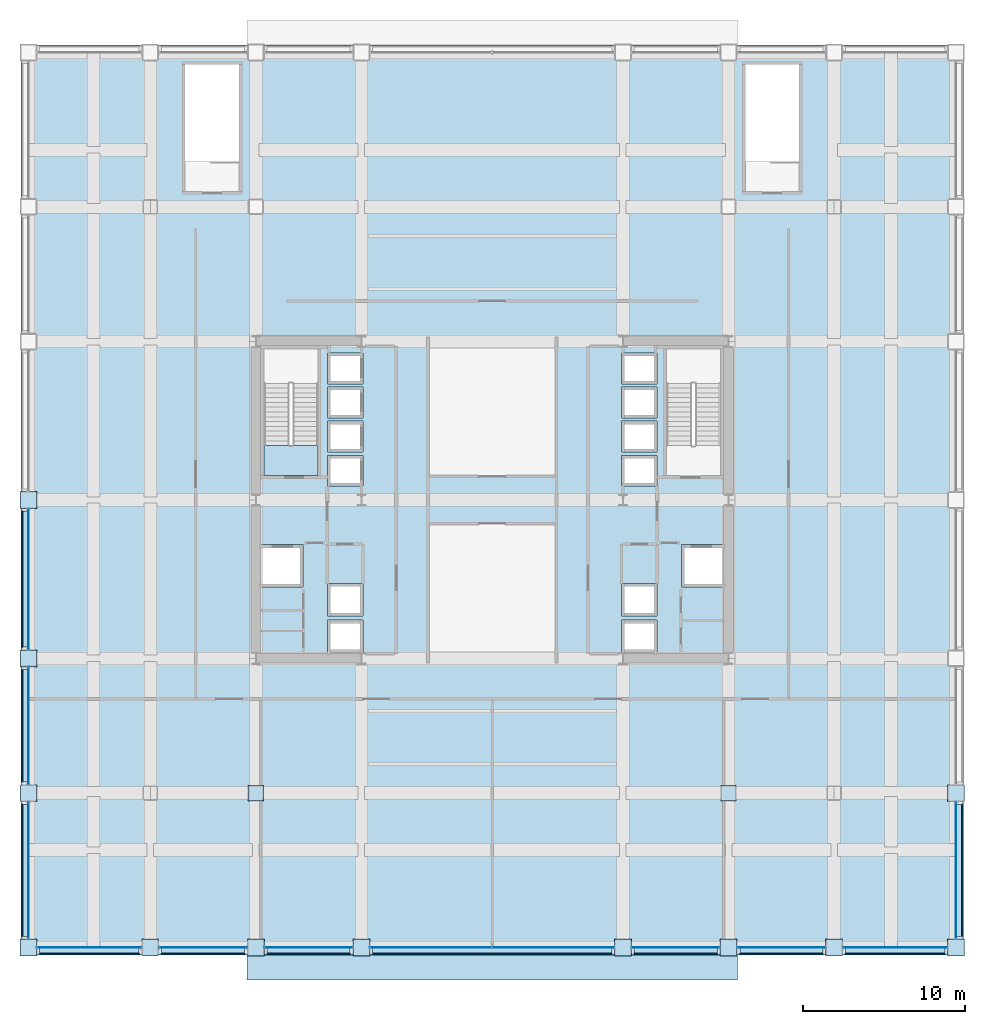
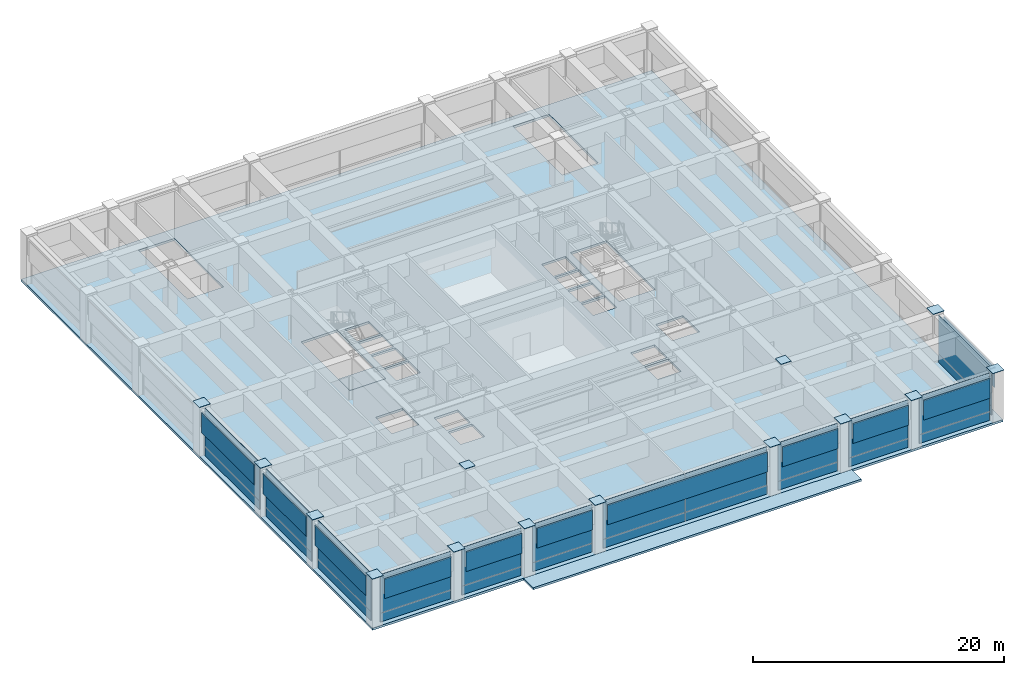
# One storey, part 24 of 30: 60 plates, 3 slabs, 11 elements without a shape of their own.
"""IFC4 building model written with IfcOpenShell, lengths in metres."""

from ifc_helpers import new_model, si_unit, direction, frame, origin, origin_2d, place, context, subcontext, project, spatial, polyline, rectangle, outline, extrude, material, layer, layer_set, type_object, element, aggregate, save


model = new_model("IFC4")

# Units and contexts
model_context = context("Model", 3, precision=1e-05, world=origin(), true_north=direction((0.0, 1.0)))
body_context = subcontext(model_context, "Body", "Model", "MODEL_VIEW")
ifc_project = project(units=[si_unit("LENGTHUNIT", "METRE"), si_unit("AREAUNIT", "SQUARE_METRE"), si_unit("VOLUMEUNIT", "CUBIC_METRE"), si_unit("PLANEANGLEUNIT", "RADIAN"), si_unit("MASSUNIT", "GRAM", prefix="KILO")], contexts=[model_context])

# Site, building, storey
site_placement = place(None, origin())
site = spatial("IfcSite", under=ifc_project, at=site_placement, CompositionType="ELEMENT")
building_placement = place(site_placement, origin())
building = spatial("IfcBuilding", under=site, at=building_placement, Name="Brelmoor Portico Tower", CompositionType="ELEMENT")
storey_placement = place(building_placement, frame((0.0, 0.0, 19.199951171875)))
storey = spatial("IfcBuildingStorey", under=building, at=storey_placement, Name="L04", CompositionType="ELEMENT", Elevation=19.199951171875)

# Plates
ifc_material_1 = material(Name="Steel Q355B", Category="steel")
ifc_layer_1 = layer(ifc_material_1, 0.044921875)
ifc_layer_set_1 = layer_set([ifc_layer_1], Name="Steel Q355B")
plate_type_1 = type_object("IfcPlateType", Name="PT-CAP-650", PredefinedType="SHEET", material=ifc_layer_set_1)
for number, where, z_axis, x_axis, name in (
    (1, (-14.550048828125, -18.050048828125, 4.800048828125), (0.0, 0.0, 1.0), (1.0, 0.0, 0.0), "L04 Podium Pier Column PP-SW2 Welded Head Cap Plate"),
    (2, (14.550048828125, -18.050048828125, 4.800048828125), (0.0, 0.0, 1.0), (1.0, 0.0, 0.0), "L04 Podium Pier Column PP-SE1 Welded Head Cap Plate"),
):
    element("IfcPlate", number, at=place(storey_placement, frame(where, z_axis=z_axis, x_axis=x_axis)), inside=storey, type_object=plate_type_1, Name=name, PredefinedType="SHEET", context=body_context, shape_type="SweptSolid", body=[
        extrude(rectangle(XDim=0.93994140625, YDim=0.93994140625, at=origin_2d()), origin(), (0.0, 0.0, 1.0), 0.0400390625),
    ])
for number, where, z_axis, x_axis, name in (
    (3, (-28.550048828125, -27.550048828125, 4.800048828125), (0.0, 0.0, 1.0), (1.0, 0.0, 0.0), "L04 Perimeter Mega-Column PS01 Welded Head Cap Plate"),
    (4, (-21.050048828125, -27.550048828125, 4.800048828125), (0.0, 0.0, 1.0), (1.0, 0.0, 0.0), "L04 Perimeter Mega-Column PS02 Welded Head Cap Plate"),
    (5, (-14.550048828125, -27.550048828125, 4.800048828125), (0.0, 0.0, 1.0), (1.0, 0.0, 0.0), "L04 Perimeter Mega-Column PS03 Welded Head Cap Plate"),
    (6, (-8.050048828125, -27.550048828125, 4.800048828125), (0.0, 0.0, 1.0), (1.0, 0.0, 0.0), "L04 Perimeter Mega-Column PS04 Welded Head Cap Plate"),
    (7, (8.050048828125, -27.550048828125, 4.800048828125), (0.0, 0.0, 1.0), (1.0, 0.0, 0.0), "L04 Perimeter Mega-Column PS05 Welded Head Cap Plate"),
    (8, (14.550048828125, -27.550048828125, 4.800048828125), (0.0, 0.0, 1.0), (1.0, 0.0, 0.0), "L04 Perimeter Mega-Column PS06 Welded Head Cap Plate"),
    (9, (21.050048828125, -27.550048828125, 4.800048828125), (0.0, 0.0, 1.0), (1.0, 0.0, 0.0), "L04 Perimeter Mega-Column PS07 Welded Head Cap Plate"),
    (10, (28.550048828125, -27.550048828125, 4.800048828125), (0.0, 0.0, 1.0), (1.0, 0.0, 0.0), "L04 Perimeter Mega-Column PS08 Welded Head Cap Plate"),
    (11, (-28.550048828125, -18.050048828125, 4.800048828125), (0.0, 0.0, 1.0), (0.0, 1.0, 0.0), "L04 Perimeter Mega-Column PW17 Welded Head Cap Plate"),
    (12, (28.550048828125, -18.050048828125, 4.800048828125), (0.0, 0.0, 1.0), (0.0, 1.0, 0.0), "L04 Perimeter Mega-Column PE18 Welded Head Cap Plate"),
    (13, (-28.550048828125, -9.75, 4.800048828125), (0.0, 0.0, 1.0), (0.0, 1.0, 0.0), "L04 Perimeter Mega-Column PW19 Welded Head Cap Plate"),
    (14, (-28.550048828125, 0.0, 4.800048828125), (0.0, 0.0, 1.0), (0.0, 1.0, 0.0), "L04 Perimeter Mega-Column PW21 Welded Head Cap Plate"),
):
    element("IfcPlate", number, at=place(storey_placement, frame(where, z_axis=z_axis, x_axis=x_axis)), inside=storey, type_object=plate_type_1, Name=name, PredefinedType="SHEET", context=body_context, shape_type="SweptSolid", body=[
        extrude(rectangle(XDim=1.0400390625, YDim=1.0400390625, at=origin_2d()), origin(), (0.0, 0.0, 1.0), 0.0400390625),
    ])

# Curtain wall, plate
ifc_material_2 = material(Name="Anodised Aluminium Alloy 6063-T6", Category="aluminium")
ifc_layer_2 = layer(ifc_material_2, 0.179931640625)
ifc_layer_set_2 = layer_set([ifc_layer_2], Name="Anodised Aluminium Alloy 6063-T6")
curtain_wall_type = type_object("IfcCurtainWallType", Name="CW-PODIUM-ARCH", PredefinedType="NOTDEFINED", material=ifc_layer_set_2)
curtain_wall_1_placement = place(storey_placement, origin())
curtain_wall_1 = element("IfcCurtainWall", 15, at=curtain_wall_1_placement, inside=storey, type_object=curtain_wall_type, Name="L04 Curtain Wall CW-L04-01-1", PredefinedType="NOTDEFINED")
ifc_material_3 = material(Name="Double-Silver Low-E Insulated Glazing", Category="glass")
ifc_layer_3 = layer(ifc_material_3, 0.035888671875)
ifc_layer_set_3 = layer_set([ifc_layer_3], Name="Double-Silver Low-E Insulated Glazing")
plate_type_2 = type_object("IfcPlateType", Name="PT-CW-GLASS", PredefinedType="CURTAIN_PANEL", material=ifc_layer_set_3)
plate_1_placement = place(storey_placement, frame((-24.800048828125, -27.550048828125, 0.85009765625), z_axis=(0.0, 0.0, 1.0), x_axis=(1.0, 0.0, 0.0)))
plate_1 = element("IfcPlate", 16, at=plate_1_placement, type_object=plate_type_2, Name="CW-L04-01-1 Vision Glass Panel 00", PredefinedType="CURTAIN_PANEL", context=body_context, shape_type="SweptSolid", body=[
    extrude(rectangle(XDim=6.449951171875, YDim=0.035888671875, at=origin_2d()), origin(), (0.0, 0.0, 1.0), 3.75),
])

curtain_wall_2_placement = place(storey_placement, origin())
curtain_wall_2 = element("IfcCurtainWall", 17, at=curtain_wall_2_placement, inside=storey, type_object=curtain_wall_type, Name="L04 Curtain Wall CW-L04-01-2", PredefinedType="NOTDEFINED")
plate_2_placement = place(storey_placement, frame((-17.800048828125, -27.550048828125, 0.85009765625), z_axis=(0.0, 0.0, 1.0), x_axis=(1.0, 0.0, 0.0)))
plate_2 = element("IfcPlate", 18, at=plate_2_placement, type_object=plate_type_2, Name="CW-L04-01-2 Vision Glass Panel 00", PredefinedType="CURTAIN_PANEL", context=body_context, shape_type="SweptSolid", body=[
    extrude(rectangle(XDim=5.449951171875, YDim=0.035888671875, at=origin_2d()), origin(), (0.0, 0.0, 1.0), 3.75),
])

curtain_wall_3_placement = place(storey_placement, origin())
curtain_wall_3 = element("IfcCurtainWall", 19, at=curtain_wall_3_placement, inside=storey, type_object=curtain_wall_type, Name="L04 Curtain Wall CW-L04-01-3", PredefinedType="NOTDEFINED")
plate_3_placement = place(storey_placement, frame((-11.300048828125, -27.550048828125, 0.85009765625), z_axis=(0.0, 0.0, 1.0), x_axis=(1.0, 0.0, 0.0)))
plate_3 = element("IfcPlate", 20, at=plate_3_placement, type_object=plate_type_2, Name="CW-L04-01-3 Vision Glass Panel 00", PredefinedType="CURTAIN_PANEL", context=body_context, shape_type="SweptSolid", body=[
    extrude(rectangle(XDim=5.449951171875, YDim=0.035888671875, at=origin_2d()), origin(), (0.0, 0.0, 1.0), 3.75),
])

# Curtain wall, plates
curtain_wall_4_placement = place(storey_placement, origin())
curtain_wall_4 = element("IfcCurtainWall", 21, at=curtain_wall_4_placement, inside=storey, type_object=curtain_wall_type, Name="L04 Curtain Wall CW-L04-01-4", PredefinedType="NOTDEFINED")
plate_4_placement = place(storey_placement, frame((-3.77001953125, -27.550048828125, 0.85009765625), z_axis=(0.0, 0.0, 1.0), x_axis=(1.0, 0.0, 0.0)))
plate_4 = element("IfcPlate", 22, at=plate_4_placement, type_object=plate_type_2, Name="CW-L04-01-4 Vision Glass Panel 00", PredefinedType="CURTAIN_PANEL", context=body_context, shape_type="SweptSolid", body=[
    extrude(rectangle(XDim=7.510009765625, YDim=0.035888671875, at=origin_2d()), origin(), (0.0, 0.0, 1.0), 3.75),
])
plate_5_placement = place(storey_placement, frame((3.77001953125, -27.550048828125, 0.85009765625), z_axis=(0.0, 0.0, 1.0), x_axis=(1.0, 0.0, 0.0)))
plate_5 = element("IfcPlate", 23, at=plate_5_placement, type_object=plate_type_2, Name="CW-L04-01-4 Vision Glass Panel 01", PredefinedType="CURTAIN_PANEL", context=body_context, shape_type="SweptSolid", body=[
    extrude(rectangle(XDim=7.510009765625, YDim=0.035888671875, at=origin_2d()), origin(), (0.0, 0.0, 1.0), 3.75),
])

# Curtain wall, plate
curtain_wall_5_placement = place(storey_placement, origin())
curtain_wall_5 = element("IfcCurtainWall", 24, at=curtain_wall_5_placement, inside=storey, type_object=curtain_wall_type, Name="L04 Curtain Wall CW-L04-01-5", PredefinedType="NOTDEFINED")
plate_6_placement = place(storey_placement, frame((11.300048828125, -27.550048828125, 0.85009765625), z_axis=(0.0, 0.0, 1.0), x_axis=(1.0, 0.0, 0.0)))
plate_6 = element("IfcPlate", 25, at=plate_6_placement, type_object=plate_type_2, Name="CW-L04-01-5 Vision Glass Panel 00", PredefinedType="CURTAIN_PANEL", context=body_context, shape_type="SweptSolid", body=[
    extrude(rectangle(XDim=5.449951171875, YDim=0.035888671875, at=origin_2d()), origin(), (0.0, 0.0, 1.0), 3.75),
])

curtain_wall_6_placement = place(storey_placement, origin())
curtain_wall_6 = element("IfcCurtainWall", 26, at=curtain_wall_6_placement, inside=storey, type_object=curtain_wall_type, Name="L04 Curtain Wall CW-L04-01-6", PredefinedType="NOTDEFINED")
plate_7_placement = place(storey_placement, frame((17.800048828125, -27.550048828125, 0.85009765625), z_axis=(0.0, 0.0, 1.0), x_axis=(1.0, 0.0, 0.0)))
plate_7 = element("IfcPlate", 27, at=plate_7_placement, type_object=plate_type_2, Name="CW-L04-01-6 Vision Glass Panel 00", PredefinedType="CURTAIN_PANEL", context=body_context, shape_type="SweptSolid", body=[
    extrude(rectangle(XDim=5.449951171875, YDim=0.035888671875, at=origin_2d()), origin(), (0.0, 0.0, 1.0), 3.75),
])

curtain_wall_7_placement = place(storey_placement, origin())
curtain_wall_7 = element("IfcCurtainWall", 28, at=curtain_wall_7_placement, inside=storey, type_object=curtain_wall_type, Name="L04 Curtain Wall CW-L04-01-7", PredefinedType="NOTDEFINED")
plate_8_placement = place(storey_placement, frame((24.800048828125, -27.550048828125, 0.85009765625), z_axis=(0.0, 0.0, 1.0), x_axis=(1.0, 0.0, 0.0)))
plate_8 = element("IfcPlate", 29, at=plate_8_placement, type_object=plate_type_2, Name="CW-L04-01-7 Vision Glass Panel 00", PredefinedType="CURTAIN_PANEL", context=body_context, shape_type="SweptSolid", body=[
    extrude(rectangle(XDim=6.449951171875, YDim=0.035888671875, at=origin_2d()), origin(), (0.0, 0.0, 1.0), 3.75),
])

curtain_wall_8_placement = place(storey_placement, origin())
curtain_wall_8 = element("IfcCurtainWall", 30, at=curtain_wall_8_placement, inside=storey, type_object=curtain_wall_type, Name="L04 Curtain Wall CW-L04-03-1", PredefinedType="NOTDEFINED")
plate_9_placement = place(storey_placement, frame((-28.550048828125, -22.800048828125, 0.85009765625), z_axis=(0.0, 0.0, 1.0), x_axis=(0.0, 1.0, 0.0)))
plate_9 = element("IfcPlate", 31, at=plate_9_placement, type_object=plate_type_2, Name="CW-L04-03-1 Vision Glass Panel 00", PredefinedType="CURTAIN_PANEL", context=body_context, shape_type="SweptSolid", body=[
    extrude(rectangle(XDim=8.449951171875, YDim=0.035888671875, at=origin_2d()), origin(), (0.0, 0.0, 1.0), 3.75),
])

curtain_wall_9_placement = place(storey_placement, origin())
curtain_wall_9 = element("IfcCurtainWall", 32, at=curtain_wall_9_placement, inside=storey, type_object=curtain_wall_type, Name="L04 Curtain Wall CW-L04-03-2", PredefinedType="NOTDEFINED")
plate_10_placement = place(storey_placement, frame((-28.550048828125, -13.89990234375, 0.85009765625), z_axis=(0.0, 0.0, 1.0), x_axis=(0.0, 1.0, 0.0)))
plate_10 = element("IfcPlate", 33, at=plate_10_placement, type_object=plate_type_2, Name="CW-L04-03-2 Vision Glass Panel 00", PredefinedType="CURTAIN_PANEL", context=body_context, shape_type="SweptSolid", body=[
    extrude(rectangle(XDim=7.25, YDim=0.035888671875, at=origin_2d()), origin(), (0.0, 0.0, 1.0), 3.75),
])

curtain_wall_10_placement = place(storey_placement, origin())
curtain_wall_10 = element("IfcCurtainWall", 34, at=curtain_wall_10_placement, inside=storey, type_object=curtain_wall_type, Name="L04 Curtain Wall CW-L04-03-3", PredefinedType="NOTDEFINED")
plate_11_placement = place(storey_placement, frame((-28.550048828125, -4.875, 0.85009765625), z_axis=(0.0, 0.0, 1.0), x_axis=(0.0, 1.0, 0.0)))
plate_11 = element("IfcPlate", 35, at=plate_11_placement, type_object=plate_type_2, Name="CW-L04-03-3 Vision Glass Panel 00", PredefinedType="CURTAIN_PANEL", context=body_context, shape_type="SweptSolid", body=[
    extrude(rectangle(XDim=8.699951171875, YDim=0.035888671875, at=origin_2d()), origin(), (0.0, 0.0, 1.0), 3.75),
])

curtain_wall_11_placement = place(storey_placement, origin())
curtain_wall_11 = element("IfcCurtainWall", 36, at=curtain_wall_11_placement, inside=storey, type_object=curtain_wall_type, Name="L04 Curtain Wall CW-L04-04-1", PredefinedType="NOTDEFINED")
plate_12_placement = place(storey_placement, frame((28.550048828125, -22.800048828125, 0.85009765625), z_axis=(0.0, 0.0, 1.0), x_axis=(0.0, 1.0, 0.0)))
plate_12 = element("IfcPlate", 37, at=plate_12_placement, type_object=plate_type_2, Name="CW-L04-04-1 Vision Glass Panel 00", PredefinedType="CURTAIN_PANEL", context=body_context, shape_type="SweptSolid", body=[
    extrude(rectangle(XDim=8.449951171875, YDim=0.035888671875, at=origin_2d()), origin(), (0.0, 0.0, 1.0), 3.75),
])

# Plate
ifc_material_4 = material(Name="Pale Champagne Anodised Aluminium Panel", Category="aluminium")
ifc_layer_4 = layer(ifc_material_4, 0.050048828125)
ifc_layer_set_4 = layer_set([ifc_layer_4], Name="Pale Champagne Anodised Aluminium Panel")
plate_type_3 = type_object("IfcPlateType", Name="PT-CW-SPANDREL", PredefinedType="SHEET", material=ifc_layer_set_4)
plate_13_placement = place(storey_placement, frame((-24.800048828125, -27.550048828125, 0.0), z_axis=(0.0, 0.0, 1.0), x_axis=(1.0, 0.0, 0.0)))
plate_13 = element("IfcPlate", 38, at=plate_13_placement, type_object=plate_type_3, Name="CW-L04-01-1 Spandrel Panel 00", PredefinedType="SHEET", context=body_context, shape_type="SweptSolid", body=[
    extrude(rectangle(XDim=6.449951171875, YDim=0.050048828125, at=origin_2d()), origin(), (0.0, 0.0, 1.0), 0.85009765625),
])

aggregate(curtain_wall_1, [plate_13, plate_1])

plate_14_placement = place(storey_placement, frame((-17.800048828125, -27.550048828125, 0.0), z_axis=(0.0, 0.0, 1.0), x_axis=(1.0, 0.0, 0.0)))
plate_14 = element("IfcPlate", 39, at=plate_14_placement, type_object=plate_type_3, Name="CW-L04-01-2 Spandrel Panel 00", PredefinedType="SHEET", context=body_context, shape_type="SweptSolid", body=[
    extrude(rectangle(XDim=5.449951171875, YDim=0.050048828125, at=origin_2d()), origin(), (0.0, 0.0, 1.0), 0.85009765625),
])

aggregate(curtain_wall_2, [plate_14, plate_2])

plate_15_placement = place(storey_placement, frame((-11.300048828125, -27.550048828125, 0.0), z_axis=(0.0, 0.0, 1.0), x_axis=(1.0, 0.0, 0.0)))
plate_15 = element("IfcPlate", 40, at=plate_15_placement, type_object=plate_type_3, Name="CW-L04-01-3 Spandrel Panel 00", PredefinedType="SHEET", context=body_context, shape_type="SweptSolid", body=[
    extrude(rectangle(XDim=5.449951171875, YDim=0.050048828125, at=origin_2d()), origin(), (0.0, 0.0, 1.0), 0.85009765625),
])

aggregate(curtain_wall_3, [plate_15, plate_3])

plate_16_placement = place(storey_placement, frame((-3.77001953125, -27.550048828125, 0.0), z_axis=(0.0, 0.0, 1.0), x_axis=(1.0, 0.0, 0.0)))
plate_16 = element("IfcPlate", 41, at=plate_16_placement, type_object=plate_type_3, Name="CW-L04-01-4 Spandrel Panel 00", PredefinedType="SHEET", context=body_context, shape_type="SweptSolid", body=[
    extrude(rectangle(XDim=7.510009765625, YDim=0.050048828125, at=origin_2d()), origin(), (0.0, 0.0, 1.0), 0.85009765625),
])

plate_17_placement = place(storey_placement, frame((3.77001953125, -27.550048828125, 0.0), z_axis=(0.0, 0.0, 1.0), x_axis=(1.0, 0.0, 0.0)))
plate_17 = element("IfcPlate", 42, at=plate_17_placement, type_object=plate_type_3, Name="CW-L04-01-4 Spandrel Panel 01", PredefinedType="SHEET", context=body_context, shape_type="SweptSolid", body=[
    extrude(rectangle(XDim=7.510009765625, YDim=0.050048828125, at=origin_2d()), origin(), (0.0, 0.0, 1.0), 0.85009765625),
])

aggregate(curtain_wall_4, [plate_16, plate_4, plate_17, plate_5])

plate_18_placement = place(storey_placement, frame((11.300048828125, -27.550048828125, 0.0), z_axis=(0.0, 0.0, 1.0), x_axis=(1.0, 0.0, 0.0)))
plate_18 = element("IfcPlate", 43, at=plate_18_placement, type_object=plate_type_3, Name="CW-L04-01-5 Spandrel Panel 00", PredefinedType="SHEET", context=body_context, shape_type="SweptSolid", body=[
    extrude(rectangle(XDim=5.449951171875, YDim=0.050048828125, at=origin_2d()), origin(), (0.0, 0.0, 1.0), 0.85009765625),
])

aggregate(curtain_wall_5, [plate_18, plate_6])

plate_19_placement = place(storey_placement, frame((17.800048828125, -27.550048828125, 0.0), z_axis=(0.0, 0.0, 1.0), x_axis=(1.0, 0.0, 0.0)))
plate_19 = element("IfcPlate", 44, at=plate_19_placement, type_object=plate_type_3, Name="CW-L04-01-6 Spandrel Panel 00", PredefinedType="SHEET", context=body_context, shape_type="SweptSolid", body=[
    extrude(rectangle(XDim=5.449951171875, YDim=0.050048828125, at=origin_2d()), origin(), (0.0, 0.0, 1.0), 0.85009765625),
])

aggregate(curtain_wall_6, [plate_19, plate_7])

plate_20_placement = place(storey_placement, frame((24.800048828125, -27.550048828125, 0.0), z_axis=(0.0, 0.0, 1.0), x_axis=(1.0, 0.0, 0.0)))
plate_20 = element("IfcPlate", 45, at=plate_20_placement, type_object=plate_type_3, Name="CW-L04-01-7 Spandrel Panel 00", PredefinedType="SHEET", context=body_context, shape_type="SweptSolid", body=[
    extrude(rectangle(XDim=6.449951171875, YDim=0.050048828125, at=origin_2d()), origin(), (0.0, 0.0, 1.0), 0.85009765625),
])

aggregate(curtain_wall_7, [plate_20, plate_8])

plate_21_placement = place(storey_placement, frame((-28.550048828125, -22.800048828125, 0.0), z_axis=(0.0, 0.0, 1.0), x_axis=(0.0, 1.0, 0.0)))
plate_21 = element("IfcPlate", 46, at=plate_21_placement, type_object=plate_type_3, Name="CW-L04-03-1 Spandrel Panel 00", PredefinedType="SHEET", context=body_context, shape_type="SweptSolid", body=[
    extrude(rectangle(XDim=8.449951171875, YDim=0.050048828125, at=origin_2d()), origin(), (0.0, 0.0, 1.0), 0.85009765625),
])

aggregate(curtain_wall_8, [plate_21, plate_9])

plate_22_placement = place(storey_placement, frame((-28.550048828125, -13.89990234375, 0.0), z_axis=(0.0, 0.0, 1.0), x_axis=(0.0, 1.0, 0.0)))
plate_22 = element("IfcPlate", 47, at=plate_22_placement, type_object=plate_type_3, Name="CW-L04-03-2 Spandrel Panel 00", PredefinedType="SHEET", context=body_context, shape_type="SweptSolid", body=[
    extrude(rectangle(XDim=7.25, YDim=0.050048828125, at=origin_2d()), origin(), (0.0, 0.0, 1.0), 0.85009765625),
])

aggregate(curtain_wall_9, [plate_22, plate_10])

plate_23_placement = place(storey_placement, frame((-28.550048828125, -4.875, 0.0), z_axis=(0.0, 0.0, 1.0), x_axis=(0.0, 1.0, 0.0)))
plate_23 = element("IfcPlate", 48, at=plate_23_placement, type_object=plate_type_3, Name="CW-L04-03-3 Spandrel Panel 00", PredefinedType="SHEET", context=body_context, shape_type="SweptSolid", body=[
    extrude(rectangle(XDim=8.699951171875, YDim=0.050048828125, at=origin_2d()), origin(), (0.0, 0.0, 1.0), 0.85009765625),
])

aggregate(curtain_wall_10, [plate_23, plate_11])

plate_24_placement = place(storey_placement, frame((28.550048828125, -22.800048828125, 0.0), z_axis=(0.0, 0.0, 1.0), x_axis=(0.0, 1.0, 0.0)))
plate_24 = element("IfcPlate", 49, at=plate_24_placement, type_object=plate_type_3, Name="CW-L04-04-1 Spandrel Panel 00", PredefinedType="SHEET", context=body_context, shape_type="SweptSolid", body=[
    extrude(rectangle(XDim=8.449951171875, YDim=0.050048828125, at=origin_2d()), origin(), (0.0, 0.0, 1.0), 0.85009765625),
])

aggregate(curtain_wall_11, [plate_24, plate_12])

# Plates
ifc_material_5 = material(Name="Powder-Coated Aluminium Shuttered Jalousie Louvre", Category="aluminium")
ifc_layer_5 = layer(ifc_material_5, 0.06005859375)
ifc_layer_set_5 = layer_set([ifc_layer_5], Name="Powder-Coated Aluminium Shuttered Jalousie Louvre")
plate_type_4 = type_object("IfcPlateType", Name="PT-JALOUSIE-SHUTTER", PredefinedType="SHEET", material=ifc_layer_set_5)
plate_25_placement = place(storey_placement, frame((-24.800048828125, -27.929931640625, 2.4501953125), z_axis=(0.0, 0.0, 1.0), x_axis=(1.0, 0.0, 0.0)))
element("IfcPlate", 50, at=plate_25_placement, inside=storey, type_object=plate_type_4, Name="CW-L04-01-1 Perforated Jalousie Solar Screen", PredefinedType="SHEET", context=body_context, shape_type="SweptSolid", body=[
    extrude(rectangle(XDim=6.1201171875, YDim=0.06494140625, at=origin_2d()), origin(), (0.0, 0.0, 1.0), 1.949951171875),
])
for number, where, z_axis, x_axis, name in (
    (51, (-17.800048828125, -27.929931640625, 2.4501953125), (0.0, 0.0, 1.0), (1.0, 0.0, 0.0), "CW-L04-01-2 Perforated Jalousie Solar Screen"),
    (52, (-11.300048828125, -27.929931640625, 2.4501953125), (0.0, 0.0, 1.0), (1.0, 0.0, 0.0), "CW-L04-01-3 Perforated Jalousie Solar Screen"),
):
    element("IfcPlate", number, at=place(storey_placement, frame(where, z_axis=z_axis, x_axis=x_axis)), inside=storey, type_object=plate_type_4, Name=name, PredefinedType="SHEET", context=body_context, shape_type="SweptSolid", body=[
        extrude(rectangle(XDim=5.1201171875, YDim=0.06494140625, at=origin_2d()), origin(), (0.0, 0.0, 1.0), 1.949951171875),
    ])
plate_26_placement = place(storey_placement, frame((0.0, -27.929931640625, 2.4501953125), z_axis=(0.0, 0.0, 1.0), x_axis=(1.0, 0.0, 0.0)))
element("IfcPlate", 53, at=plate_26_placement, inside=storey, type_object=plate_type_4, Name="CW-L04-01-4 Perforated Jalousie Solar Screen", PredefinedType="SHEET", context=body_context, shape_type="SweptSolid", body=[
    extrude(rectangle(XDim=14.719970703125, YDim=0.06494140625, at=origin_2d()), origin(), (0.0, 0.0, 1.0), 1.949951171875),
])
for number, where, z_axis, x_axis, name in (
    (54, (11.300048828125, -27.929931640625, 2.4501953125), (0.0, 0.0, 1.0), (1.0, 0.0, 0.0), "CW-L04-01-5 Perforated Jalousie Solar Screen"),
    (55, (17.800048828125, -27.929931640625, 2.4501953125), (0.0, 0.0, 1.0), (1.0, 0.0, 0.0), "CW-L04-01-6 Perforated Jalousie Solar Screen"),
):
    element("IfcPlate", number, at=place(storey_placement, frame(where, z_axis=z_axis, x_axis=x_axis)), inside=storey, type_object=plate_type_4, Name=name, PredefinedType="SHEET", context=body_context, shape_type="SweptSolid", body=[
        extrude(rectangle(XDim=5.1201171875, YDim=0.06494140625, at=origin_2d()), origin(), (0.0, 0.0, 1.0), 1.949951171875),
    ])
plate_27_placement = place(storey_placement, frame((24.800048828125, -27.929931640625, 2.4501953125), z_axis=(0.0, 0.0, 1.0), x_axis=(1.0, 0.0, 0.0)))
element("IfcPlate", 56, at=plate_27_placement, inside=storey, type_object=plate_type_4, Name="CW-L04-01-7 Perforated Jalousie Solar Screen", PredefinedType="SHEET", context=body_context, shape_type="SweptSolid", body=[
    extrude(rectangle(XDim=6.1201171875, YDim=0.06494140625, at=origin_2d()), origin(), (0.0, 0.0, 1.0), 1.949951171875),
])
plate_28_placement = place(storey_placement, frame((-28.929931640625, -22.800048828125, 2.4501953125), z_axis=(0.0, 0.0, 1.0), x_axis=(0.0, 1.0, 0.0)))
element("IfcPlate", 57, at=plate_28_placement, inside=storey, type_object=plate_type_4, Name="CW-L04-03-1 Perforated Jalousie Solar Screen", PredefinedType="SHEET", context=body_context, shape_type="SweptSolid", body=[
    extrude(rectangle(XDim=8.1201171875, YDim=0.06494140625, at=origin_2d()), origin(), (0.0, 0.0, 1.0), 1.949951171875),
])
plate_29_placement = place(storey_placement, frame((-28.929931640625, -13.89990234375, 2.4501953125), z_axis=(0.0, 0.0, 1.0), x_axis=(0.0, 1.0, 0.0)))
element("IfcPlate", 58, at=plate_29_placement, inside=storey, type_object=plate_type_4, Name="CW-L04-03-2 Perforated Jalousie Solar Screen", PredefinedType="SHEET", context=body_context, shape_type="SweptSolid", body=[
    extrude(rectangle(XDim=6.919921875, YDim=0.06494140625, at=origin_2d()), origin(), (0.0, 0.0, 1.0), 1.949951171875),
])
plate_30_placement = place(storey_placement, frame((-28.929931640625, -4.875, 2.4501953125), z_axis=(0.0, 0.0, 1.0), x_axis=(0.0, 1.0, 0.0)))
element("IfcPlate", 59, at=plate_30_placement, inside=storey, type_object=plate_type_4, Name="CW-L04-03-3 Perforated Jalousie Solar Screen", PredefinedType="SHEET", context=body_context, shape_type="SweptSolid", body=[
    extrude(rectangle(XDim=8.3701171875, YDim=0.06494140625, at=origin_2d()), origin(), (0.0, 0.0, 1.0), 1.949951171875),
])
plate_31_placement = place(storey_placement, frame((28.929931640625, -22.800048828125, 2.4501953125), z_axis=(0.0, 0.0, 1.0), x_axis=(0.0, 1.0, 0.0)))
element("IfcPlate", 60, at=plate_31_placement, inside=storey, type_object=plate_type_4, Name="CW-L04-04-1 Perforated Jalousie Solar Screen", PredefinedType="SHEET", context=body_context, shape_type="SweptSolid", body=[
    extrude(rectangle(XDim=8.1201171875, YDim=0.06494140625, at=origin_2d()), origin(), (0.0, 0.0, 1.0), 1.949951171875),
])
ifc_material_6 = material(Name="Pale Champagne Perforated Aluminium Solar Screen", Category="aluminium")
ifc_layer_6 = layer(ifc_material_6, 0.054931640625)
ifc_layer_set_6 = layer_set([ifc_layer_6], Name="Pale Champagne Perforated Aluminium Solar Screen")
plate_type_5 = type_object("IfcPlateType", Name="PT-SOLAR-LOUVRE", PredefinedType="SHEET", material=ifc_layer_set_6)
plate_32_placement = place(storey_placement, frame((-24.800048828125, -27.760009765625, 4.2900390625), z_axis=(0.0, 0.0, 1.0), x_axis=(1.0, 0.0, 0.0)))
element("IfcPlate", 61, at=plate_32_placement, inside=storey, type_object=plate_type_5, Name="CW-L04-01-1 Caribbean Brise-Soleil Solar Screen", PredefinedType="SHEET", context=body_context, shape_type="SweptSolid", body=[
    extrude(rectangle(XDim=6.1201171875, YDim=0.4599609375, at=origin_2d()), origin(), (0.0, 0.0, 1.0), 0.139892578125),
])
for number, where, z_axis, x_axis, name in (
    (62, (-17.800048828125, -27.760009765625, 4.2900390625), (0.0, 0.0, 1.0), (1.0, 0.0, 0.0), "CW-L04-01-2 Caribbean Brise-Soleil Solar Screen"),
    (63, (-11.300048828125, -27.760009765625, 4.2900390625), (0.0, 0.0, 1.0), (1.0, 0.0, 0.0), "CW-L04-01-3 Caribbean Brise-Soleil Solar Screen"),
):
    element("IfcPlate", number, at=place(storey_placement, frame(where, z_axis=z_axis, x_axis=x_axis)), inside=storey, type_object=plate_type_5, Name=name, PredefinedType="SHEET", context=body_context, shape_type="SweptSolid", body=[
        extrude(rectangle(XDim=5.1201171875, YDim=0.4599609375, at=origin_2d()), origin(), (0.0, 0.0, 1.0), 0.139892578125),
    ])
plate_33_placement = place(storey_placement, frame((0.0, -27.760009765625, 4.2900390625), z_axis=(0.0, 0.0, 1.0), x_axis=(1.0, 0.0, 0.0)))
element("IfcPlate", 64, at=plate_33_placement, inside=storey, type_object=plate_type_5, Name="CW-L04-01-4 Caribbean Brise-Soleil Solar Screen", PredefinedType="SHEET", context=body_context, shape_type="SweptSolid", body=[
    extrude(rectangle(XDim=14.719970703125, YDim=0.4599609375, at=origin_2d()), origin(), (0.0, 0.0, 1.0), 0.139892578125),
])
for number, where, z_axis, x_axis, name in (
    (65, (11.300048828125, -27.760009765625, 4.2900390625), (0.0, 0.0, 1.0), (1.0, 0.0, 0.0), "CW-L04-01-5 Caribbean Brise-Soleil Solar Screen"),
    (66, (17.800048828125, -27.760009765625, 4.2900390625), (0.0, 0.0, 1.0), (1.0, 0.0, 0.0), "CW-L04-01-6 Caribbean Brise-Soleil Solar Screen"),
):
    element("IfcPlate", number, at=place(storey_placement, frame(where, z_axis=z_axis, x_axis=x_axis)), inside=storey, type_object=plate_type_5, Name=name, PredefinedType="SHEET", context=body_context, shape_type="SweptSolid", body=[
        extrude(rectangle(XDim=5.1201171875, YDim=0.4599609375, at=origin_2d()), origin(), (0.0, 0.0, 1.0), 0.139892578125),
    ])
plate_34_placement = place(storey_placement, frame((24.800048828125, -27.760009765625, 4.2900390625), z_axis=(0.0, 0.0, 1.0), x_axis=(1.0, 0.0, 0.0)))
element("IfcPlate", 67, at=plate_34_placement, inside=storey, type_object=plate_type_5, Name="CW-L04-01-7 Caribbean Brise-Soleil Solar Screen", PredefinedType="SHEET", context=body_context, shape_type="SweptSolid", body=[
    extrude(rectangle(XDim=6.1201171875, YDim=0.4599609375, at=origin_2d()), origin(), (0.0, 0.0, 1.0), 0.139892578125),
])
plate_35_placement = place(storey_placement, frame((-28.760009765625, -22.800048828125, 4.2900390625), z_axis=(0.0, 0.0, 1.0), x_axis=(0.0, 1.0, 0.0)))
element("IfcPlate", 68, at=plate_35_placement, inside=storey, type_object=plate_type_5, Name="CW-L04-03-1 Caribbean Brise-Soleil Solar Screen", PredefinedType="SHEET", context=body_context, shape_type="SweptSolid", body=[
    extrude(rectangle(XDim=8.1201171875, YDim=0.4599609375, at=origin_2d()), origin(), (0.0, 0.0, 1.0), 0.139892578125),
])
plate_36_placement = place(storey_placement, frame((-28.760009765625, -13.89990234375, 4.2900390625), z_axis=(0.0, 0.0, 1.0), x_axis=(0.0, 1.0, 0.0)))
element("IfcPlate", 69, at=plate_36_placement, inside=storey, type_object=plate_type_5, Name="CW-L04-03-2 Caribbean Brise-Soleil Solar Screen", PredefinedType="SHEET", context=body_context, shape_type="SweptSolid", body=[
    extrude(rectangle(XDim=6.919921875, YDim=0.4599609375, at=origin_2d()), origin(), (0.0, 0.0, 1.0), 0.139892578125),
])
plate_37_placement = place(storey_placement, frame((-28.760009765625, -4.875, 4.2900390625), z_axis=(0.0, 0.0, 1.0), x_axis=(0.0, 1.0, 0.0)))
element("IfcPlate", 70, at=plate_37_placement, inside=storey, type_object=plate_type_5, Name="CW-L04-03-3 Caribbean Brise-Soleil Solar Screen", PredefinedType="SHEET", context=body_context, shape_type="SweptSolid", body=[
    extrude(rectangle(XDim=8.3701171875, YDim=0.4599609375, at=origin_2d()), origin(), (0.0, 0.0, 1.0), 0.139892578125),
])
plate_38_placement = place(storey_placement, frame((28.760009765625, -22.800048828125, 4.2900390625), z_axis=(0.0, 0.0, 1.0), x_axis=(0.0, 1.0, 0.0)))
element("IfcPlate", 71, at=plate_38_placement, inside=storey, type_object=plate_type_5, Name="CW-L04-04-1 Caribbean Brise-Soleil Solar Screen", PredefinedType="SHEET", context=body_context, shape_type="SweptSolid", body=[
    extrude(rectangle(XDim=8.1201171875, YDim=0.4599609375, at=origin_2d()), origin(), (0.0, 0.0, 1.0), 0.139892578125),
])

# Slabs
ifc_material_7 = material(Name="Concrete C40", Category="concrete")
ifc_layer_7 = layer(ifc_material_7, 0.219970703125)
ifc_layer_set_7 = layer_set([ifc_layer_7], Name="Concrete C40")
slab_type_1 = type_object("IfcSlabType", Name="SL-FLOOR-220", PredefinedType="FLOOR", material=ifc_layer_set_7)
slab_1_placement = place(storey_placement, frame((0.0, 0.0, -0.219970703125)))
element("IfcSlab", 72, at=slab_1_placement, inside=storey, type_object=slab_type_1, Name="L04 Main Structural Floor Slab", PredefinedType="FLOOR", context=body_context, shape_type="SweptSolid", body=[
    extrude(outline(polyline([(-29.0, -28.0), (29.0, -28.0), (29.0, 28.0), (-29.0, 28.0), (-29.0, -28.0)]), holes=[polyline([(-10.72998046875, 1.5), (-10.72998046875, 9.300048828125), (-14.050048828125, 9.300048828125), (-14.050048828125, 1.5), (-10.72998046875, 1.5)]), polyline([(14.050048828125, 1.5), (14.050048828125, 9.300048828125), (10.72998046875, 9.300048828125), (10.72998046875, 1.5), (14.050048828125, 1.5)]), polyline([(-15.580078125, 19.0), (-15.580078125, 26.800048828125), (-18.89990234375, 26.800048828125), (-18.89990234375, 19.0), (-15.580078125, 19.0)]), polyline([(18.89990234375, 19.0), (18.89990234375, 26.800048828125), (15.580078125, 26.800048828125), (15.580078125, 19.0), (18.89990234375, 19.0)]), polyline([(-10.14990234375, 0.85009765625), (-7.949951171875, 0.85009765625), (-7.949951171875, 2.75), (-10.14990234375, 2.75), (-10.14990234375, 0.85009765625)]), polyline([(-10.14990234375, 2.949951171875), (-7.949951171875, 2.949951171875), (-7.949951171875, 4.85009765625), (-10.14990234375, 4.85009765625), (-10.14990234375, 2.949951171875)]), polyline([(-10.14990234375, 5.050048828125), (-7.949951171875, 5.050048828125), (-7.949951171875, 6.949951171875), (-10.14990234375, 6.949951171875), (-10.14990234375, 5.050048828125)]), polyline([(-10.14990234375, 7.14990234375), (-7.949951171875, 7.14990234375), (-7.949951171875, 9.050048828125), (-10.14990234375, 9.050048828125), (-10.14990234375, 7.14990234375)]), polyline([(7.949951171875, 0.85009765625), (10.14990234375, 0.85009765625), (10.14990234375, 2.75), (7.949951171875, 2.75), (7.949951171875, 0.85009765625)]), polyline([(7.949951171875, 2.949951171875), (10.14990234375, 2.949951171875), (10.14990234375, 4.85009765625), (7.949951171875, 4.85009765625), (7.949951171875, 2.949951171875)]), polyline([(7.949951171875, 5.050048828125), (10.14990234375, 5.050048828125), (10.14990234375, 6.949951171875), (7.949951171875, 6.949951171875), (7.949951171875, 5.050048828125)]), polyline([(7.949951171875, 7.14990234375), (10.14990234375, 7.14990234375), (10.14990234375, 9.050048828125), (7.949951171875, 9.050048828125), (7.949951171875, 7.14990234375)]), polyline([(-10.14990234375, -9.39990234375), (-7.949951171875, -9.39990234375), (-7.949951171875, -7.39990234375), (-10.14990234375, -7.39990234375), (-10.14990234375, -9.39990234375)]), polyline([(-10.14990234375, -7.14990234375), (-7.949951171875, -7.14990234375), (-7.949951171875, -5.14990234375), (-10.14990234375, -5.14990234375), (-10.14990234375, -7.14990234375)]), polyline([(7.949951171875, -9.39990234375), (10.14990234375, -9.39990234375), (10.14990234375, -7.39990234375), (7.949951171875, -7.39990234375), (7.949951171875, -9.39990234375)]), polyline([(7.949951171875, -7.14990234375), (10.14990234375, -7.14990234375), (10.14990234375, -5.14990234375), (7.949951171875, -5.14990234375), (7.949951171875, -7.14990234375)]), polyline([(-14.14990234375, -5.35009765625), (-11.64990234375, -5.35009765625), (-11.64990234375, -2.75), (-14.14990234375, -2.75), (-14.14990234375, -5.35009765625)]), polyline([(11.64990234375, -5.35009765625), (14.14990234375, -5.35009765625), (14.14990234375, -2.75), (11.64990234375, -2.75), (11.64990234375, -5.35009765625)])]), origin(), (0.0, 0.0, 1.0), 0.219970703125),
])
ifc_layer_8 = layer(ifc_material_7, 0.199951171875)
ifc_layer_set_8 = layer_set([ifc_layer_8], Name="Concrete C40")
slab_type_2 = type_object("IfcSlabType", Name="SL-ROOF-200", PredefinedType="ROOF", material=ifc_layer_set_8)
slab_2_placement = place(storey_placement, frame((0.0, 0.0, -0.199951171875)))
element("IfcSlab", 73, at=slab_2_placement, inside=storey, type_object=slab_type_2, Name="L04 Giant Arch Entrance Portal Hood Slab S", PredefinedType="ROOF", context=body_context, shape_type="SweptSolid", body=[
    extrude(outline(polyline([(-15.10009765625, -29.550048828125), (15.10009765625, -29.550048828125), (15.10009765625, -28.0), (-15.10009765625, -28.0), (-15.10009765625, -29.550048828125)])), origin(), (0.0, 0.0, 1.0), 0.199951171875),
])
ifc_layer_9 = layer(ifc_material_7, 0.219970703125)
ifc_layer_set_9 = layer_set([ifc_layer_9], Name="Concrete C40")
slab_type_3 = type_object("IfcSlabType", Name="SL-STAIR-FL220", PredefinedType="LANDING", material=ifc_layer_set_9)
slab_3_placement = place(storey_placement, frame((0.0, 0.0, -0.219970703125)))
element("IfcSlab", 74, at=slab_3_placement, inside=storey, type_object=slab_type_3, Name="L04 ST-W Structural Floor Landing Slab", PredefinedType="LANDING", context=body_context, shape_type="SweptSolid", body=[
    extrude(outline(polyline([(-10.72998046875, 1.5), (-10.72998046875, 3.35009765625), (-14.050048828125, 3.35009765625), (-14.050048828125, 1.5), (-10.72998046875, 1.5)])), origin(), (0.0, 0.0, 1.0), 0.219970703125),
])

save(model, "model.ifc")
